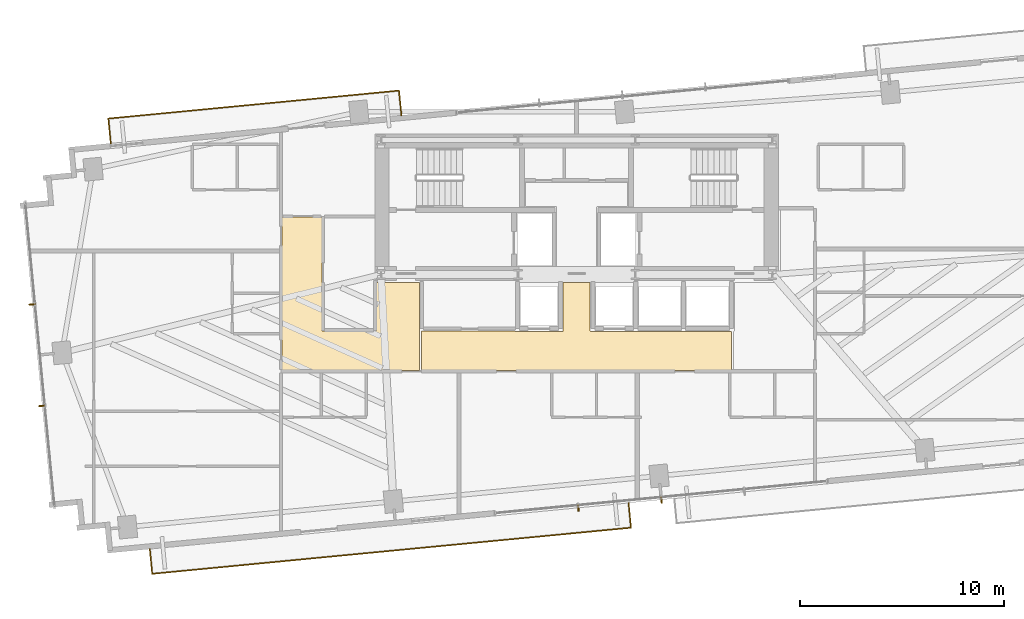
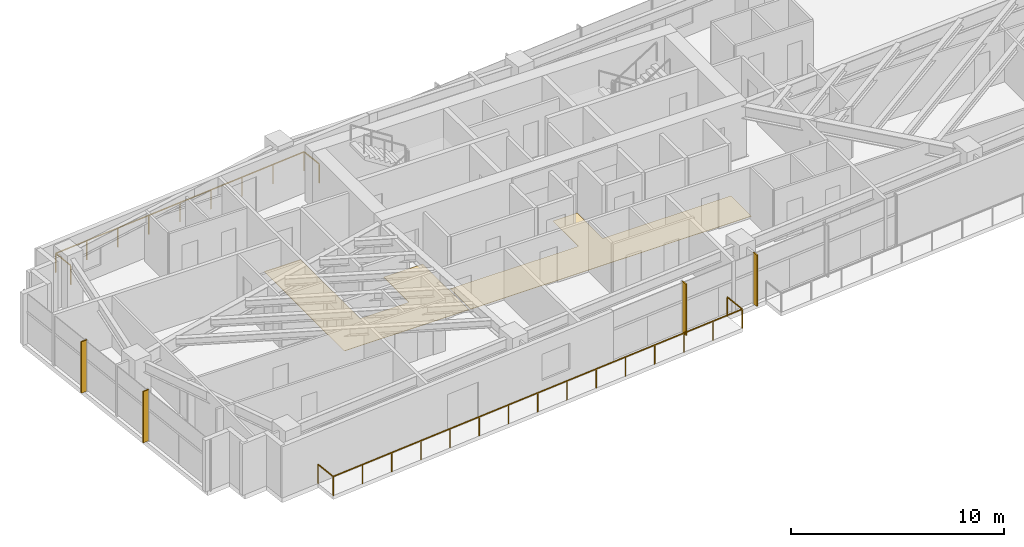
# One storey, part 25 of 27: 4 shading devices, 2 coverings, 2 railings.
"""IFC4 building model written with IfcOpenShell, lengths in metres."""

import ifcopenshell
import ifcopenshell.guid

model = None  # the IFC model being written
_history = None  # IfcOwnerHistory: only IFC2X3 demands one
_inside = {}  # id of a spatial element -> (the spatial element, [elements in it])
_under = {}  # id of a project, library or spatial element -> (it, [spatial elements below it])
_declared = {}  # id of a project -> (the project, [libraries it declares])
_typed = {}  # id of a type object -> (the type object, [elements of that type])
_made_of = {}  # id of a material, layer set ... -> (it, [elements and type objects made of it])


def new_model(schema):
    """Start an empty IFC model of exactly this schema.

    Asked for "IFC4X3", IfcOpenShell would pick the latest addendum, in which some entities
    have other attributes; the version numbers below select the first issue.
    IFC2X3 requires an IfcOwnerHistory on every rooted entity: one is made here for all.
    """
    global model, _history
    if schema == "IFC4X3":
        model = ifcopenshell.file(schema_version=(4, 3, 0, 0))
    else:
        model = ifcopenshell.file(schema=schema)
    _inside.clear()
    _under.clear()
    _declared.clear()
    _typed.clear()
    _made_of.clear()
    _history = None
    if model.schema == "IFC2X3":
        org = make("IfcOrganization", Name="unknown")
        user = make(
            "IfcPersonAndOrganization",
            ThePerson=make("IfcPerson", FamilyName="unknown"),
            TheOrganization=org,
        )
        app = make(
            "IfcApplication",
            ApplicationDeveloper=org,
            Version="unknown",
            ApplicationFullName="unknown",
            ApplicationIdentifier="unknown",
        )
        _history = make(
            "IfcOwnerHistory",
            OwningUser=user,
            OwningApplication=app,
            ChangeAction="ADDED",
            CreationDate=0,
        )
    return model


def make(cls, **values):
    """One entity of the class cls with the attributes given. An attribute that is None is left unset."""
    return model.create_entity(
        cls, **{name: value for name, value in values.items() if value is not None}
    )


def rooted(cls, **values):
    """An entity with a GlobalId (a new one), such as an element, a storey or a relation."""
    return make(cls, GlobalId=ifcopenshell.guid.new(), OwnerHistory=_history, **values)


def si_unit(unit_type, name, prefix=None):
    """IfcSIUnit, for example si_unit("LENGTHUNIT", "METRE", prefix="MILLI")."""
    return make("IfcSIUnit", UnitType=unit_type, Prefix=prefix, Name=name)


def assignment(units):
    """IfcUnitAssignment: the units of a project."""
    return None if units is None else make("IfcUnitAssignment", Units=units)


def point(xyz):
    """IfcCartesianPoint."""
    return None if xyz is None else make("IfcCartesianPoint", Coordinates=xyz)


def direction(xyz):
    """IfcDirection."""
    return None if xyz is None else make("IfcDirection", DirectionRatios=xyz)


def frame(location, z_axis=None, x_axis=None):
    """IfcAxis2Placement3D, a coordinate frame: its origin and axes. An axis left out is left unset."""
    return make(
        "IfcAxis2Placement3D",
        Location=point(location),
        Axis=direction(z_axis),
        RefDirection=direction(x_axis),
    )


def frame_2d(location, x_axis=None):
    """IfcAxis2Placement2D, a coordinate frame in the plane: its origin and x axis."""
    return make(
        "IfcAxis2Placement2D", Location=point(location), RefDirection=direction(x_axis)
    )


def origin():
    """The frame at (0, 0, 0) with its axes left unset."""
    return frame((0.0, 0.0, 0.0))


def origin_2d():
    """The frame at (0, 0) in the plane with its x axis left unset."""
    return frame_2d((0.0, 0.0))


def place(relative_to, where):
    """IfcLocalPlacement: puts the frame where relative to a parent placement (None: the world)."""
    return make(
        "IfcLocalPlacement", PlacementRelTo=relative_to, RelativePlacement=where
    )


def context(
    kind, dimensions, precision=None, world=None, true_north=None, identifier=None
):
    """IfcGeometricRepresentationContext, for example the 3D "Model" context."""
    return make(
        "IfcGeometricRepresentationContext",
        ContextIdentifier=identifier,
        ContextType=kind,
        CoordinateSpaceDimension=dimensions,
        Precision=precision,
        WorldCoordinateSystem=world,
        TrueNorth=true_north,
    )


def subcontext(parent, identifier, kind, view, scale=None):
    """IfcGeometricRepresentationSubContext, for example "Body" below "Model"."""
    return make(
        "IfcGeometricRepresentationSubContext",
        ContextIdentifier=identifier,
        ContextType=kind,
        ParentContext=parent,
        TargetScale=scale,
        TargetView=view,
    )


def project(units=None, contexts=None):
    """IfcProject with its units and contexts."""
    return rooted(
        "IfcProject",
        Name="project",
        RepresentationContexts=contexts,
        UnitsInContext=assignment(units),
    )


def spatial(cls, under=None, at=None, **own):
    """A site, building, storey or space (cls), placed at a placement, below another one or the project."""
    s = rooted(cls, ObjectPlacement=at, **own)
    if under is not None:
        _under.setdefault(under.id(), (under, []))[1].append(s)
    return s


def polyline(points):
    """IfcPolyline through the points."""
    return make("IfcPolyline", Points=[point(p) for p in points])


def profile(cls, at=None, kind="AREA", **sizes):
    """A parametric profile (cls). Its sizes go by their IFC names, for example OverallWidth=200.0."""
    return make(cls, ProfileType=kind, Position=at, **sizes)


def rectangle(**sizes):
    """IfcRectangleProfileDef."""
    return profile("IfcRectangleProfileDef", **sizes)


def outline(outer, holes=None, kind="AREA"):
    """IfcArbitraryClosedProfileDef: a profile drawn as a closed curve; with holes, ...WithVoids."""
    if holes is None:
        return make("IfcArbitraryClosedProfileDef", ProfileType=kind, OuterCurve=outer)
    return make(
        "IfcArbitraryProfileDefWithVoids",
        ProfileType=kind,
        OuterCurve=outer,
        InnerCurves=holes,
    )


def extrude(swept, where, along, depth):
    """IfcExtrudedAreaSolid: the profile swept, set in the frame where, extruded along a direction by depth."""
    return make(
        "IfcExtrudedAreaSolid",
        SweptArea=swept,
        Position=where,
        ExtrudedDirection=direction(along),
        Depth=depth,
    )


def shape(context_of_items, identifier, shape_type, items):
    """IfcShapeRepresentation: the items that make up one representation, for example the "Body"."""
    return make(
        "IfcShapeRepresentation",
        ContextOfItems=context_of_items,
        RepresentationIdentifier=identifier,
        RepresentationType=shape_type,
        Items=items,
    )


def source(mapping_origin, context_of_items, identifier, shape_type, items):
    """IfcRepresentationMap: a shape defined once, which mapped items show again and again."""
    return make(
        "IfcRepresentationMap",
        MappingOrigin=mapping_origin,
        MappedRepresentation=shape(context_of_items, identifier, shape_type, items),
    )


def transform(
    local_origin,
    x_axis=None,
    y_axis=None,
    z_axis=None,
    scale=None,
    scale2=None,
    scale3=None,
    uniform=True,
):
    """IfcCartesianTransformationOperator3D, or its non-uniform kind. x_axis, y_axis, z_axis: its Axis1, 2, 3."""
    if uniform:
        return make(
            "IfcCartesianTransformationOperator3D",
            Axis1=direction(x_axis),
            Axis2=direction(y_axis),
            LocalOrigin=point(local_origin),
            Scale=scale,
            Axis3=direction(z_axis),
        )
    return make(
        "IfcCartesianTransformationOperator3DnonUniform",
        Axis1=direction(x_axis),
        Axis2=direction(y_axis),
        LocalOrigin=point(local_origin),
        Scale=scale,
        Axis3=direction(z_axis),
        Scale2=scale2,
        Scale3=scale3,
    )


def mapped(mapping_source, mapping_target):
    """IfcMappedItem: shows the shape of a source again, moved by a transform."""
    return make(
        "IfcMappedItem", MappingSource=mapping_source, MappingTarget=mapping_target
    )


def material(Name=None, Category=None):
    """IfcMaterial."""
    return make("IfcMaterial", Name=Name, Category=Category)


def layer(
    of_material, thickness, ventilated=None, Name=None, Category=None, Priority=None
):
    """IfcMaterialLayer: one layer of a wall or slab, of a material (None: an air gap)."""
    return make(
        "IfcMaterialLayer",
        Material=of_material,
        LayerThickness=thickness,
        IsVentilated=ventilated,
        Name=Name,
        Category=Category,
        Priority=Priority,
    )


def layer_set(layers, Name=None):
    """IfcMaterialLayerSet."""
    return make("IfcMaterialLayerSet", MaterialLayers=layers, LayerSetName=Name)


def made_of(thing, what):
    """Note that an element or type object is made of a material, layer set ...; save() writes the relation."""
    if what is not None:
        _made_of.setdefault(what.id(), (what, []))[1].append(thing)
    return thing


def type_object(cls, material=None, **own):
    """A type object (cls), such as IfcWallType, which elements share."""
    return made_of(rooted(cls, **own), material)


def type_shapes(of_type, sources):
    """Give a type object the sources (RepresentationMaps) that its elements show as mapped items."""
    of_type.RepresentationMaps = sources


def element(
    cls,
    number,
    at=None,
    inside=None,
    cuts=None,
    type_object=None,
    material=None,
    context=None,
    identifier="Body",
    shape_type=None,
    held_by="IfcProductDefinitionShape",
    body=None,
    shapes=None,
    **own,
):
    """One element of the class cls, such as IfcWall. Its Tag is "e" and its number.

    at: its placement. inside: the storey or other place that contains it. cuts: it is an
    opening in that element (IfcRelVoidsElement). A single representation is given by context,
    identifier, shape_type and body (its items); several are given by shapes. held_by: the class
    of the entity that holds the representations. save() writes the other relations.
    """
    e = rooted(cls, Tag="e%d" % number, ObjectPlacement=at, **own)
    if body is not None:
        shapes = [shape(context, identifier, shape_type, body)]
    if shapes is not None:
        e.Representation = make(held_by, Representations=shapes)
    if inside is not None:
        _inside.setdefault(inside.id(), (inside, []))[1].append(e)
    if cuts is not None:
        rooted(
            "IfcRelVoidsElement", RelatingBuildingElement=cuts, RelatedOpeningElement=e
        )
    if type_object is not None:
        _typed.setdefault(type_object.id(), (type_object, []))[1].append(e)
    return made_of(e, material)


def aggregate(whole, parts):
    """IfcRelAggregates: a whole, such as a stair, and the parts it consists of."""
    return rooted("IfcRelAggregates", RelatingObject=whole, RelatedObjects=parts)


def save(model, path):
    """Write the relations noted so far, then the file.

    IfcRelAggregates (storeys below a building ...), IfcRelContainedInSpatialStructure (elements
    in a storey), IfcRelDefinesByType, IfcRelAssociatesMaterial and IfcRelDeclares: one each for
    every whole, place, type object, material and project.
    """
    for whole, parts in _under.values():
        aggregate(whole, parts)
    for where, things in _inside.values():
        rooted(
            "IfcRelContainedInSpatialStructure",
            RelatedElements=things,
            RelatingStructure=where,
        )
    for kind, things in _typed.values():
        rooted("IfcRelDefinesByType", RelatedObjects=things, RelatingType=kind)
    for what, things in _made_of.values():
        rooted("IfcRelAssociatesMaterial", RelatedObjects=things, RelatingMaterial=what)
    for by, libraries in _declared.values():
        rooted("IfcRelDeclares", RelatingContext=by, RelatedDefinitions=libraries)
    model.write(path)


model = new_model("IFC4")

# Units and contexts
model_context = context("Model", 3, precision=1e-05, world=origin(), true_north=direction((0.0, 1.0)))
body_context = subcontext(model_context, "Body", "Model", "MODEL_VIEW")
ifc_project = project(units=[si_unit("LENGTHUNIT", "METRE"), si_unit("AREAUNIT", "SQUARE_METRE"), si_unit("VOLUMEUNIT", "CUBIC_METRE"), si_unit("PLANEANGLEUNIT", "RADIAN"), si_unit("MASSUNIT", "GRAM", prefix="KILO")], contexts=[model_context])

# Site, building, storey
site_placement = place(None, origin())
site = spatial("IfcSite", under=ifc_project, at=site_placement, CompositionType="ELEMENT")
building_placement = place(site_placement, origin())
building = spatial("IfcBuilding", under=site, at=building_placement, Name="Astriad Promenade Condominiums", CompositionType="ELEMENT")
storey_placement = place(building_placement, frame((0.0, 0.0, 113.0)))
storey = spatial("IfcBuildingStorey", under=building, at=storey_placement, Name="L32", CompositionType="ELEMENT", Elevation=113.0)

# Coverings
ifc_material_1 = material(Name="Polished Lakefront Terrazzo Flooring")
ifc_layer = layer(ifc_material_1, 0.02001953125)
ifc_layer_set = layer_set([ifc_layer], Name="Polished Lakefront Terrazzo Flooring")
covering_type = type_object("IfcCoveringType", Name="COV-FLOR-TERRAZZO-20", PredefinedType="FLOORING", material=ifc_layer_set)
covering_1_placement = place(storey_placement, origin())
element("IfcCovering", 1, at=covering_1_placement, inside=storey, type_object=covering_type, Name="FLR-L32-LLB", PredefinedType="FLOORING", context=body_context, shape_type="SweptSolid", body=[
    extrude(outline(polyline([(32.9736328125, 14.6201171875), (32.974609375, 14.619140625), (32.977783203125, 14.61669921875), (32.981201171875, 14.61474609375), (32.984619140625, 14.613037109375), (32.98828125, 14.61181640625), (32.9921875, 14.61083984375), (32.99609375, 14.610107421875), (33.0, 14.610107421875), (35.300048828125, 14.610107421875), (35.303955078125, 14.610107421875), (35.307861328125, 14.61083984375), (35.3115234375, 14.61181640625), (35.315185546875, 14.613037109375), (35.31884765625, 14.61474609375), (35.322265625, 14.61669921875), (35.325439453125, 14.619140625), (35.328369140625, 14.62158203125), (35.330810546875, 14.62451171875), (35.333251953125, 14.627685546875), (35.335205078125, 14.631103515625), (35.3369140625, 14.634765625), (35.33837890625, 14.638427734375), (35.339111328125, 14.64208984375), (35.33984375, 14.64599609375), (35.340087890625, 14.64990234375), (35.340087890625, 17.010009765625), (36.659912109375, 17.010009765625), (36.659912109375, 14.64990234375), (36.66015625, 14.64599609375), (36.660888671875, 14.64208984375), (36.66162109375, 14.638427734375), (36.6630859375, 14.634765625), (36.664794921875, 14.631103515625), (36.666748046875, 14.627685546875), (36.669189453125, 14.62451171875), (36.671630859375, 14.62158203125), (36.674560546875, 14.619140625), (36.677734375, 14.61669921875), (36.68115234375, 14.61474609375), (36.684814453125, 14.613037109375), (36.6884765625, 14.61181640625), (36.692138671875, 14.61083984375), (36.696044921875, 14.610107421875), (36.699951171875, 14.610107421875), (43.610107421875, 14.610107421875), (43.610107421875, 12.68994140625), (28.389892578125, 12.68994140625), (28.389892578125, 14.6201171875), (32.9736328125, 14.6201171875)])), origin(), (0.0, 0.0, 1.0), 0.02001953125),
])
covering_2_placement = place(storey_placement, origin())
element("IfcCovering", 2, at=covering_2_placement, inside=storey, type_object=covering_type, Name="FLR-L32-COR-2", PredefinedType="FLOORING", context=body_context, shape_type="SweptSolid", body=[
    extrude(outline(polyline([(28.300048828125, 12.68994140625), (21.5400390625, 12.68994140625), (21.5400390625, 20.2099609375), (23.510009765625, 20.2099609375), (23.510009765625, 14.659912109375), (23.51025390625, 14.656005859375), (23.5107421875, 14.652099609375), (23.51171875, 14.6484375), (23.512939453125, 14.644775390625), (23.5146484375, 14.64111328125), (23.5166015625, 14.6376953125), (23.51904296875, 14.634521484375), (23.521728515625, 14.631591796875), (23.524658203125, 14.629150390625), (23.52783203125, 14.626708984375), (23.531005859375, 14.624755859375), (23.53466796875, 14.623046875), (23.538330078125, 14.62158203125), (23.542236328125, 14.620849609375), (23.546142578125, 14.6201171875), (23.550048828125, 14.6201171875), (26.1201171875, 14.6201171875), (26.123779296875, 14.6201171875), (26.127685546875, 14.620849609375), (26.131591796875, 14.62158203125), (26.13525390625, 14.623046875), (26.138916015625, 14.624755859375), (26.14208984375, 14.626708984375), (26.1455078125, 14.629150390625), (26.148193359375, 14.631591796875), (26.15087890625, 14.634521484375), (26.1533203125, 14.6376953125), (26.1552734375, 14.64111328125), (26.156982421875, 14.644775390625), (26.158203125, 14.6484375), (26.1591796875, 14.652099609375), (26.159912109375, 14.656005859375), (26.159912109375, 14.659912109375), (26.159912109375, 17.010009765625), (28.280029296875, 17.010009765625), (28.280029296875, 14.659912109375), (28.2802734375, 14.656005859375), (28.28076171875, 14.652099609375), (28.28173828125, 14.6484375), (28.282958984375, 14.644775390625), (28.28466796875, 14.64111328125), (28.28662109375, 14.6376953125), (28.2890625, 14.634521484375), (28.291748046875, 14.631591796875), (28.294677734375, 14.629150390625), (28.2978515625, 14.626708984375), (28.300048828125, 14.62548828125), (28.300048828125, 12.68994140625)])), origin(), (0.0, 0.0, 1.0), 0.02001953125),
])

# Shading devices
ifc_material_2 = material(Name="Anodised aluminium 6063-T6 Black Fin", Category="aluminium")
shading_device_type = type_object("IfcShadingDeviceType", Name="FIN-BLACK-320", PredefinedType="USERDEFINED", material=ifc_material_2)
shared_shape_1 = source(origin(), body_context, "Body", "SweptSolid", [
    extrude(rectangle(XDim=0.06494140625, YDim=0.320068359375, at=origin_2d()), origin(), (0.0, 0.0, 1.0), 2.93994140625),
])
type_shapes(shading_device_type, [shared_shape_1])
for number, where, z_axis, x_axis, name in (
    (3, (9.766845703125, 10.954345703125, 0.0), (0.0, 0.0, 1.0), (-0.09584575252, 0.995396198367, 0.0), "CW-L32-W-FIN-01"),
    (4, (9.28759765625, 15.931396484375, 0.0), (0.0, 0.0, 1.0), (-0.09584575252, 0.995396198367, 0.0), "CW-L32-W-FIN-02"),
    (5, (40.159423828125, 6.3359375, 0.0), (0.0, 0.0, 1.0), (-0.995396198367, -0.09584575252, 0.0), "CW-L32-S-FIN-02"),
    (6, (36.083251953125, 5.943603515625, 0.0), (0.0, 0.0, 1.0), (-0.995396198367, -0.09584575252, 0.0), "CW-L32-S-FIN-03"),
):
    element("IfcShadingDevice", number, at=place(storey_placement, frame(where, z_axis=z_axis, x_axis=x_axis)), inside=storey, type_object=shading_device_type, Name=name, ObjectType="FIN", PredefinedType="USERDEFINED", context=body_context, shape_type="MappedRepresentation", body=[
        mapped(shared_shape_1, transform((0.0, 0.0, 0.0), scale=1.0)),
    ])

# Railings
ifc_material_3 = material(Name="Laminated Glass and Stainless Steel Balustrade", Category="steel")
railing_type = type_object("IfcRailingType", Name="GRD-BALC-1120", PredefinedType="BALUSTRADE", material=ifc_material_3)
shared_shape_2 = source(origin(), body_context, "Body", "SweptSolid", [
    extrude(rectangle(XDim=0.048095703125, YDim=0.048095703125, at=origin_2d()), frame((0.0, 0.0, 1.09619140625), z_axis=(0.0958382164, -0.995396923984, 0.0), x_axis=(0.995396923984, 0.0958382164, 0.0)), (0.0, 0.0, 1.0), 1.22021484375),
    extrude(rectangle(XDim=0.048095703125, YDim=0.048095703125, at=origin_2d()), frame((0.116943359375, -1.214599609375, 1.09619140625), z_axis=(0.995395751306, 0.095850395317, 0.0), x_axis=(-0.095850395317, 0.995395751306, 0.0)), (0.0, 0.0, 1.0), 23.598876953125),
    extrude(rectangle(XDim=0.048095703125, YDim=0.048095703125, at=origin_2d()), frame((23.607177734375, 1.04736328125, 1.09619140625), z_axis=(-0.095857307208, 0.99539508571, 0.0), x_axis=(-0.99539508571, -0.095857307208, 0.0)), (0.0, 0.0, 1.0), 1.219970703125),
    extrude(rectangle(XDim=0.0419921875, YDim=0.0419921875, at=origin_2d()), origin(), (0.0, 0.0, 1.0), 1.072021484375),
    extrude(rectangle(XDim=0.0419921875, YDim=0.0419921875, at=origin_2d()), frame((0.116943359375, -1.214599609375, 0.0)), (0.0, 0.0, 1.0), 1.072021484375),
    extrude(rectangle(XDim=0.0419921875, YDim=0.0419921875, at=origin_2d()), frame((1.794921875, -1.052978515625, 0.0)), (0.0, 0.0, 1.0), 1.072021484375),
    extrude(rectangle(XDim=0.0419921875, YDim=0.0419921875, at=origin_2d()), frame((3.47265625, -0.891357421875, 0.0)), (0.0, 0.0, 1.0), 1.072021484375),
    extrude(rectangle(XDim=0.0419921875, YDim=0.0419921875, at=origin_2d()), frame((5.150634765625, -0.72998046875, 0.0)), (0.0, 0.0, 1.0), 1.072021484375),
    extrude(rectangle(XDim=0.0419921875, YDim=0.0419921875, at=origin_2d()), frame((6.828369140625, -0.568359375, 0.0)), (0.0, 0.0, 1.0), 1.072021484375),
    extrude(rectangle(XDim=0.0419921875, YDim=0.0419921875, at=origin_2d()), frame((8.50634765625, -0.40673828125, 0.0)), (0.0, 0.0, 1.0), 1.072021484375),
    extrude(rectangle(XDim=0.0419921875, YDim=0.0419921875, at=origin_2d()), frame((10.18408203125, -0.2451171875, 0.0)), (0.0, 0.0, 1.0), 1.072021484375),
    extrude(rectangle(XDim=0.0419921875, YDim=0.0419921875, at=origin_2d()), frame((11.862060546875, -0.08349609375, 0.0)), (0.0, 0.0, 1.0), 1.072021484375),
    extrude(rectangle(XDim=0.0419921875, YDim=0.0419921875, at=origin_2d()), frame((13.5400390625, 0.077880859375, 0.0)), (0.0, 0.0, 1.0), 1.072021484375),
    extrude(rectangle(XDim=0.0419921875, YDim=0.0419921875, at=origin_2d()), frame((15.2177734375, 0.239501953125, 0.0)), (0.0, 0.0, 1.0), 1.072021484375),
    extrude(rectangle(XDim=0.0419921875, YDim=0.0419921875, at=origin_2d()), frame((16.895751953125, 0.401123046875, 0.0)), (0.0, 0.0, 1.0), 1.072021484375),
    extrude(rectangle(XDim=0.0419921875, YDim=0.0419921875, at=origin_2d()), frame((18.573486328125, 0.562744140625, 0.0)), (0.0, 0.0, 1.0), 1.072021484375),
    extrude(rectangle(XDim=0.0419921875, YDim=0.0419921875, at=origin_2d()), frame((20.25146484375, 0.72412109375, 0.0)), (0.0, 0.0, 1.0), 1.072021484375),
    extrude(rectangle(XDim=0.0419921875, YDim=0.0419921875, at=origin_2d()), frame((21.92919921875, 0.8857421875, 0.0)), (0.0, 0.0, 1.0), 1.072021484375),
    extrude(rectangle(XDim=0.0419921875, YDim=0.0419921875, at=origin_2d()), frame((23.607177734375, 1.04736328125, 0.0)), (0.0, 0.0, 1.0), 1.072021484375),
    extrude(rectangle(XDim=0.0419921875, YDim=0.0419921875, at=origin_2d()), frame((23.490234375, 2.26171875, 0.0)), (0.0, 0.0, 1.0), 1.072021484375),
])
railing_1_placement = place(storey_placement, frame((15.0576171875, 3.92919921875, 0.0)))
element("IfcRailing", 7, at=railing_1_placement, inside=storey, type_object=railing_type, Name="GRD-BALC-L32-SW", PredefinedType="BALUSTRADE", context=body_context, shape_type="MappedRepresentation", body=[
    mapped(shared_shape_2, transform((0.0, 0.0, 0.0), scale=1.0)),
])
shared_shape_3 = source(origin(), body_context, "Body", "SweptSolid", [
    extrude(rectangle(XDim=0.048095703125, YDim=0.048095703125, at=origin_2d()), frame((0.0, 0.0, 1.09619140625), z_axis=(-0.095857307208, 0.99539508571, 0.0), x_axis=(-0.99539508571, -0.095857307208, 0.0)), (0.0, 0.0, 1.0), 1.219970703125),
    extrude(rectangle(XDim=0.048095703125, YDim=0.048095703125, at=origin_2d()), frame((-0.116943359375, 1.21435546875, 1.09619140625), z_axis=(-0.99539706351, -0.095836767247, 0.0), x_axis=(0.095836767247, -0.99539706351, 0.0)), (0.0, 0.0, 1.0), 14.326904296875),
    extrude(rectangle(XDim=0.048095703125, YDim=0.048095703125, at=origin_2d()), frame((-14.3779296875, -0.15869140625, 1.09619140625), z_axis=(0.0958382164, -0.995396923984, 0.0), x_axis=(0.995396923984, 0.0958382164, 0.0)), (0.0, 0.0, 1.0), 1.22021484375),
    extrude(rectangle(XDim=0.0419921875, YDim=0.0419921875, at=origin_2d()), origin(), (0.0, 0.0, 1.0), 1.072021484375),
    extrude(rectangle(XDim=0.0419921875, YDim=0.0419921875, at=origin_2d()), frame((-0.116943359375, 1.21435546875, 0.0)), (0.0, 0.0, 1.0), 1.072021484375),
    extrude(rectangle(XDim=0.0419921875, YDim=0.0419921875, at=origin_2d()), frame((-1.899658203125, 1.042724609375, 0.0)), (0.0, 0.0, 1.0), 1.072021484375),
    extrude(rectangle(XDim=0.0419921875, YDim=0.0419921875, at=origin_2d()), frame((-3.68212890625, 0.87109375, 0.0)), (0.0, 0.0, 1.0), 1.072021484375),
    extrude(rectangle(XDim=0.0419921875, YDim=0.0419921875, at=origin_2d()), frame((-5.46484375, 0.699462890625, 0.0)), (0.0, 0.0, 1.0), 1.072021484375),
    extrude(rectangle(XDim=0.0419921875, YDim=0.0419921875, at=origin_2d()), frame((-7.24755859375, 0.52783203125, 0.0)), (0.0, 0.0, 1.0), 1.072021484375),
    extrude(rectangle(XDim=0.0419921875, YDim=0.0419921875, at=origin_2d()), frame((-9.030029296875, 0.356201171875, 0.0)), (0.0, 0.0, 1.0), 1.072021484375),
    extrude(rectangle(XDim=0.0419921875, YDim=0.0419921875, at=origin_2d()), frame((-10.812744140625, 0.1845703125, 0.0)), (0.0, 0.0, 1.0), 1.072021484375),
    extrude(rectangle(XDim=0.0419921875, YDim=0.0419921875, at=origin_2d()), frame((-12.59521484375, 0.012939453125, 0.0)), (0.0, 0.0, 1.0), 1.072021484375),
    extrude(rectangle(XDim=0.0419921875, YDim=0.0419921875, at=origin_2d()), frame((-14.3779296875, -0.15869140625, 0.0)), (0.0, 0.0, 1.0), 1.072021484375),
    extrude(rectangle(XDim=0.0419921875, YDim=0.0419921875, at=origin_2d()), frame((-14.260986328125, -1.373291015625, 0.0)), (0.0, 0.0, 1.0), 1.072021484375),
])
type_shapes(railing_type, [shared_shape_2, shared_shape_3])
railing_2_placement = place(storey_placement, frame((27.401611328125, 25.210205078125, 0.0)))
element("IfcRailing", 8, at=railing_2_placement, inside=storey, type_object=railing_type, Name="GRD-BALC-L32-NW", PredefinedType="BALUSTRADE", context=body_context, shape_type="MappedRepresentation", body=[
    mapped(shared_shape_3, transform((0.0, 0.0, 0.0), scale=1.0)),
])

save(model, "model.ifc")
